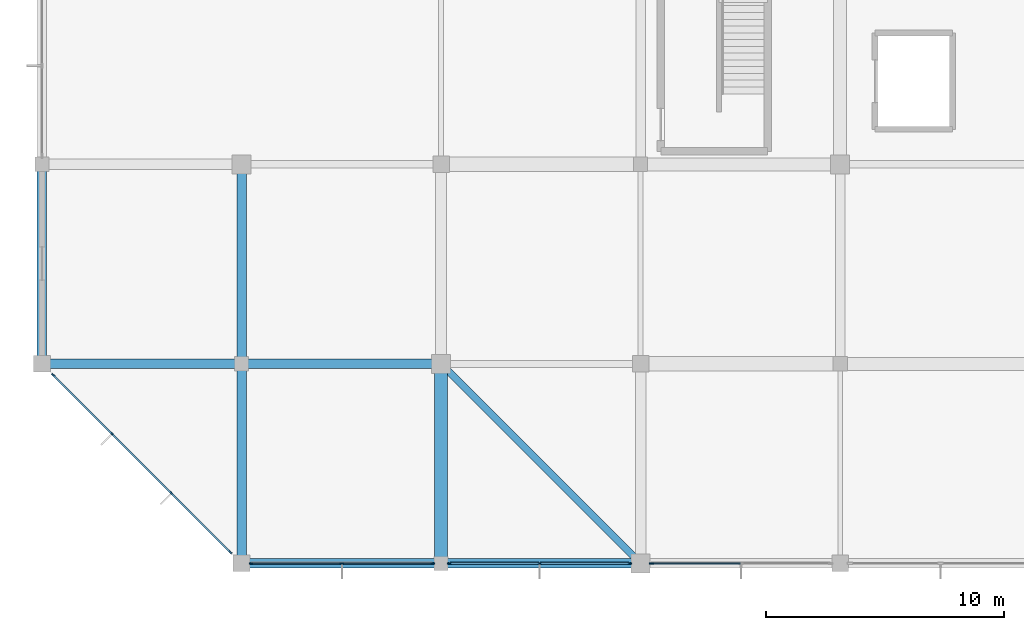
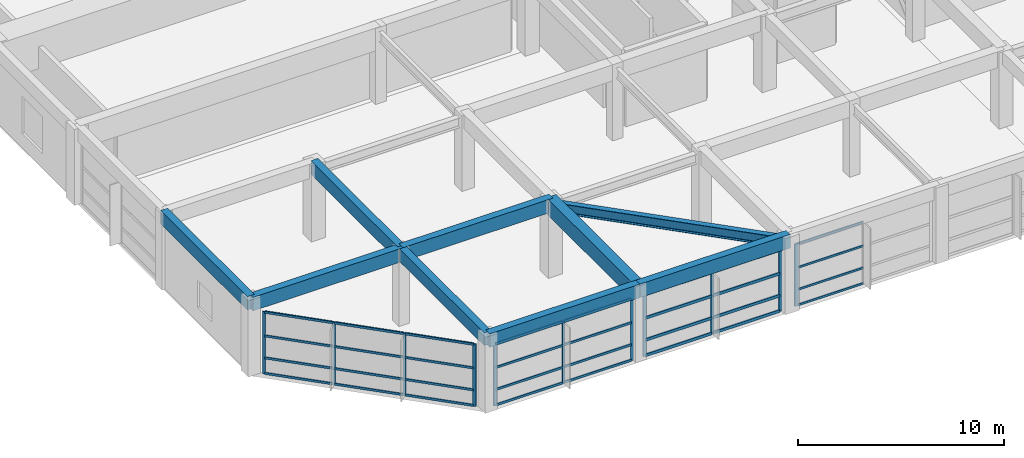
# One storey, part 10 of 62: 43 members, 9 beams, 4 elements without a shape of their own.
"""IFC4 building model written with IfcOpenShell, lengths in metres."""

from ifc_helpers import new_model, si_unit, direction, frame, origin, origin_2d, place, context, subcontext, project, spatial, rectangle, i_section, extrude, material, material_profile, profile_set, type_object, element, aggregate, save


model = new_model("IFC4")

# Units and contexts
model_context = context("Model", 3, precision=1e-05, world=origin(), true_north=direction((0.0, 1.0)))
body_context = subcontext(model_context, "Body", "Model", "MODEL_VIEW")
ifc_project = project(units=[si_unit("LENGTHUNIT", "METRE"), si_unit("AREAUNIT", "SQUARE_METRE"), si_unit("VOLUMEUNIT", "CUBIC_METRE"), si_unit("PLANEANGLEUNIT", "RADIAN"), si_unit("MASSUNIT", "GRAM", prefix="KILO")], contexts=[model_context])

# Site, building, storey
site_placement = place(None, origin())
site = spatial("IfcSite", under=ifc_project, at=site_placement, CompositionType="ELEMENT")
building_placement = place(site_placement, origin())
building = spatial("IfcBuilding", under=site, at=building_placement, Name="Xuanlan Plaza Opera House", CompositionType="ELEMENT")
storey_placement = place(building_placement, frame((0.0, 0.0, 14.39990234375)))
storey = spatial("IfcBuildingStorey", under=building, at=storey_placement, Name="L03", CompositionType="ELEMENT", Elevation=14.39990234375)

# Curtain wall, members
ifc_material_1 = material(Name="Anodised Aluminium 6063-T6 and Low-E Glass", Category="aluminium")
curtain_wall_type_1 = type_object("IfcCurtainWallType", Name="ENV-CW-CW-02", PredefinedType="USERDEFINED", material=ifc_material_1)
curtain_wall_1_placement = place(storey_placement, origin())
curtain_wall_1 = element("IfcCurtainWall", 1, at=curtain_wall_1_placement, inside=storey, type_object=curtain_wall_type_1, Name="Unitised Curtain Wall L03-001", ObjectType="UNITISED CURTAIN WALL", PredefinedType="USERDEFINED")
ifc_material_2 = material(Name="Anodised Aluminium 6063-T6", Category="aluminium")
ifc_material_profile_1 = material_profile(ifc_material_2, rectangle(XDim=0.06494140625, YDim=0.159912109375, at=origin_2d()), Name="ALU-M 65x160")
ifc_profile_set_1 = profile_set([ifc_material_profile_1], Name="Anodised Aluminium 6063-T6")
member_type_1 = type_object("IfcMemberType", Name="ENV-CWM-01", PredefinedType="MULLION", material=ifc_profile_set_1)
member_1_placement = place(storey_placement, frame((8.802490234375, 16.800048828125, 0.0), z_axis=(0.0, 0.0, 1.0), x_axis=(0.0, 1.0, 0.0)))
member_1 = element("IfcMember", 2, at=member_1_placement, type_object=member_type_1, Name="CW-02 mullion 1", PredefinedType="MULLION", context=body_context, shape_type="SweptSolid", body=[
    extrude(rectangle(XDim=0.06494140625, YDim=0.159912109375, at=origin_2d()), origin(), (0.0, 0.0, 1.0), 3.68017578125),
])
member_2_placement = place(storey_placement, frame((12.625, 16.800048828125, 0.0), z_axis=(0.0, 0.0, 1.0), x_axis=(0.0, 1.0, 0.0)))
member_2 = element("IfcMember", 3, at=member_2_placement, type_object=member_type_1, Name="CW-02 mullion 2", PredefinedType="MULLION", context=body_context, shape_type="SweptSolid", body=[
    extrude(rectangle(XDim=0.06494140625, YDim=0.159912109375, at=origin_2d()), origin(), (0.0, 0.0, 1.0), 3.68017578125),
])
member_3_placement = place(storey_placement, frame((16.447509765625, 16.800048828125, 0.0), z_axis=(0.0, 0.0, 1.0), x_axis=(0.0, 1.0, 0.0)))
member_3 = element("IfcMember", 4, at=member_3_placement, type_object=member_type_1, Name="CW-02 mullion 3", PredefinedType="MULLION", context=body_context, shape_type="SweptSolid", body=[
    extrude(rectangle(XDim=0.06494140625, YDim=0.159912109375, at=origin_2d()), origin(), (0.0, 0.0, 1.0), 3.68017578125),
])

curtain_wall_type_2 = type_object("IfcCurtainWallType", Name="ENV-CW-CW-01", PredefinedType="USERDEFINED", material=ifc_material_1)
curtain_wall_2_placement = place(storey_placement, origin())
curtain_wall_2 = element("IfcCurtainWall", 5, at=curtain_wall_2_placement, inside=storey, type_object=curtain_wall_type_2, Name="Unitised Curtain Wall L03-056", ObjectType="UNITISED CURTAIN WALL", PredefinedType="USERDEFINED")
member_4_placement = place(storey_placement, frame((0.471923828125, 24.72802734375, 0.0), z_axis=(0.0, 0.0, 1.0), x_axis=(0.707106781187, 0.707106781187, 0.0)))
member_4 = element("IfcMember", 6, at=member_4_placement, type_object=member_type_1, Name="CW-01 mullion 1", PredefinedType="MULLION", context=body_context, shape_type="SweptSolid", body=[
    extrude(rectangle(XDim=0.06494140625, YDim=0.159912109375, at=origin_2d()), origin(), (0.0, 0.0, 1.0), 3.68017578125),
])
member_5_placement = place(storey_placement, frame((2.94970703125, 22.250244140625, 0.0), z_axis=(0.0, 0.0, 1.0), x_axis=(0.707106781187, 0.707106781187, 0.0)))
member_5 = element("IfcMember", 7, at=member_5_placement, type_object=member_type_1, Name="CW-01 mullion 2", PredefinedType="MULLION", context=body_context, shape_type="SweptSolid", body=[
    extrude(rectangle(XDim=0.06494140625, YDim=0.159912109375, at=origin_2d()), origin(), (0.0, 0.0, 1.0), 3.68017578125),
])
member_6_placement = place(storey_placement, frame((5.450439453125, 19.749755859375, 0.0), z_axis=(0.0, 0.0, 1.0), x_axis=(0.707106781187, 0.707106781187, 0.0)))
member_6 = element("IfcMember", 8, at=member_6_placement, type_object=member_type_1, Name="CW-01 mullion 3", PredefinedType="MULLION", context=body_context, shape_type="SweptSolid", body=[
    extrude(rectangle(XDim=0.06494140625, YDim=0.159912109375, at=origin_2d()), origin(), (0.0, 0.0, 1.0), 3.68017578125),
])
member_7_placement = place(storey_placement, frame((7.927978515625, 17.27197265625, 0.0), z_axis=(0.0, 0.0, 1.0), x_axis=(0.707106781187, 0.707106781187, 0.0)))
member_7 = element("IfcMember", 9, at=member_7_placement, type_object=member_type_1, Name="CW-01 mullion 4", PredefinedType="MULLION", context=body_context, shape_type="SweptSolid", body=[
    extrude(rectangle(XDim=0.06494140625, YDim=0.159912109375, at=origin_2d()), origin(), (0.0, 0.0, 1.0), 3.68017578125),
])

curtain_wall_type_3 = type_object("IfcCurtainWallType", Name="ENV-CW-CW-03", PredefinedType="USERDEFINED", material=ifc_material_1)
curtain_wall_3_placement = place(storey_placement, origin())
curtain_wall_3 = element("IfcCurtainWall", 10, at=curtain_wall_3_placement, inside=storey, type_object=curtain_wall_type_3, Name="Unitised Curtain Wall L03-002", ObjectType="UNITISED CURTAIN WALL", PredefinedType="USERDEFINED")
ifc_material_profile_2 = material_profile(ifc_material_2, rectangle(XDim=0.070068359375, YDim=0.179931640625, at=origin_2d()), Name="ALU-M 70x180")
ifc_profile_set_2 = profile_set([ifc_material_profile_2], Name="Anodised Aluminium 6063-T6")
member_type_2 = type_object("IfcMemberType", Name="ENV-CWM-02", PredefinedType="MULLION", material=ifc_profile_set_2)
member_8_placement = place(storey_placement, frame((17.155029296875, 16.800048828125, 0.0), z_axis=(0.0, 0.0, 1.0), x_axis=(0.0, 1.0, 0.0)))
member_8 = element("IfcMember", 11, at=member_8_placement, type_object=member_type_2, Name="CW-03 mullion 1", PredefinedType="MULLION", context=body_context, shape_type="SweptSolid", body=[
    extrude(rectangle(XDim=0.070068359375, YDim=0.179931640625, at=origin_2d()), origin(), (0.0, 0.0, 1.0), 3.68017578125),
])
member_9_placement = place(storey_placement, frame((20.949951171875, 16.800048828125, 0.0), z_axis=(0.0, 0.0, 1.0), x_axis=(0.0, 1.0, 0.0)))
member_9 = element("IfcMember", 12, at=member_9_placement, type_object=member_type_2, Name="CW-03 mullion 2", PredefinedType="MULLION", context=body_context, shape_type="SweptSolid", body=[
    extrude(rectangle(XDim=0.070068359375, YDim=0.179931640625, at=origin_2d()), origin(), (0.0, 0.0, 1.0), 3.68017578125),
])
member_10_placement = place(storey_placement, frame((24.7451171875, 16.800048828125, 0.0), z_axis=(0.0, 0.0, 1.0), x_axis=(0.0, 1.0, 0.0)))
member_10 = element("IfcMember", 13, at=member_10_placement, type_object=member_type_2, Name="CW-03 mullion 3", PredefinedType="MULLION", context=body_context, shape_type="SweptSolid", body=[
    extrude(rectangle(XDim=0.070068359375, YDim=0.179931640625, at=origin_2d()), origin(), (0.0, 0.0, 1.0), 3.68017578125),
])

curtain_wall_type_4 = type_object("IfcCurtainWallType", Name="ENV-CW-CW-04", PredefinedType="USERDEFINED", material=ifc_material_1)
curtain_wall_4_placement = place(storey_placement, origin())
curtain_wall_4 = element("IfcCurtainWall", 14, at=curtain_wall_4_placement, inside=storey, type_object=curtain_wall_type_4, Name="Unitised Curtain Wall L03-003", ObjectType="UNITISED CURTAIN WALL", PredefinedType="USERDEFINED")
ifc_material_profile_3 = material_profile(ifc_material_2, rectangle(XDim=0.074951171875, YDim=0.199951171875, at=origin_2d()), Name="ALU-M 75x200")
ifc_profile_set_3 = profile_set([ifc_material_profile_3], Name="Anodised Aluminium 6063-T6")
member_type_3 = type_object("IfcMemberType", Name="ENV-CWM-03", PredefinedType="MULLION", material=ifc_profile_set_3)
member_11_placement = place(storey_placement, frame((25.657470703125, 16.800048828125, 0.0), z_axis=(0.0, 0.0, 1.0), x_axis=(0.0, 1.0, 0.0)))
member_11 = element("IfcMember", 15, at=member_11_placement, type_object=member_type_3, Name="CW-04 mullion 1", PredefinedType="MULLION", context=body_context, shape_type="SweptSolid", body=[
    extrude(rectangle(XDim=0.074951171875, YDim=0.199951171875, at=origin_2d()), origin(), (0.0, 0.0, 1.0), 3.68017578125),
])
ifc_material_profile_4 = material_profile(ifc_material_2, rectangle(XDim=0.06494140625, YDim=0.1201171875, at=origin_2d()), Name="ALU-T 65x120")
ifc_profile_set_4 = profile_set([ifc_material_profile_4], Name="Anodised Aluminium 6063-T6")
member_type_4 = type_object("IfcMemberType", Name="ENV-CWT-01", PredefinedType="USERDEFINED", material=ifc_profile_set_4)
member_12_placement = place(storey_placement, frame((25.695068359375, 16.800048828125, 0.03271484375), z_axis=(1.0, 0.0, 0.0), x_axis=(0.0, 1.0, 0.0)))
member_12 = element("IfcMember", 16, at=member_12_placement, type_object=member_type_4, Name="CW-04 transom 1.1", ObjectType="TRANSOM", PredefinedType="USERDEFINED", context=body_context, shape_type="SweptSolid", body=[
    extrude(rectangle(XDim=0.06494140625, YDim=0.1201171875, at=origin_2d()), origin(), (0.0, 0.0, 1.0), 3.6923828125),
])
member_13_placement = place(storey_placement, frame((25.695068359375, 16.800048828125, 0.9501953125), z_axis=(1.0, 0.0, 0.0), x_axis=(0.0, 1.0, 0.0)))
member_13 = element("IfcMember", 17, at=member_13_placement, type_object=member_type_4, Name="CW-04 transom 1.2", ObjectType="TRANSOM", PredefinedType="USERDEFINED", context=body_context, shape_type="SweptSolid", body=[
    extrude(rectangle(XDim=0.06494140625, YDim=0.1201171875, at=origin_2d()), origin(), (0.0, 0.0, 1.0), 3.6923828125),
])
member_14_placement = place(storey_placement, frame((25.695068359375, 16.800048828125, 2.25), z_axis=(1.0, 0.0, 0.0), x_axis=(0.0, 1.0, 0.0)))
member_14 = element("IfcMember", 18, at=member_14_placement, type_object=member_type_4, Name="CW-04 transom 1.3", ObjectType="TRANSOM", PredefinedType="USERDEFINED", context=body_context, shape_type="SweptSolid", body=[
    extrude(rectangle(XDim=0.06494140625, YDim=0.1201171875, at=origin_2d()), origin(), (0.0, 0.0, 1.0), 3.6923828125),
])
member_15_placement = place(storey_placement, frame((25.695068359375, 16.800048828125, 3.647705078125), z_axis=(1.0, 0.0, 0.0), x_axis=(0.0, 1.0, 0.0)))
member_15 = element("IfcMember", 19, at=member_15_placement, type_object=member_type_4, Name="CW-04 transom 1.4", ObjectType="TRANSOM", PredefinedType="USERDEFINED", context=body_context, shape_type="SweptSolid", body=[
    extrude(rectangle(XDim=0.06494140625, YDim=0.1201171875, at=origin_2d()), origin(), (0.0, 0.0, 1.0), 3.6923828125),
])
aggregate(curtain_wall_4, [member_11, member_12, member_13, member_14, member_15])

# Member
ifc_material_profile_5 = material_profile(ifc_material_2, rectangle(XDim=0.070068359375, YDim=0.135009765625, at=origin_2d()), Name="ALU-T 70x135")
ifc_profile_set_5 = profile_set([ifc_material_profile_5], Name="Anodised Aluminium 6063-T6")
member_type_5 = type_object("IfcMemberType", Name="ENV-CWT-02", PredefinedType="USERDEFINED", material=ifc_profile_set_5)
member_16_placement = place(storey_placement, frame((8.8349609375, 16.800048828125, 0.03515625), z_axis=(1.0, 0.0, 0.0), x_axis=(0.0, 1.0, 0.0)))
member_16 = element("IfcMember", 20, at=member_16_placement, type_object=member_type_5, Name="CW-02 transom 1.1", ObjectType="TRANSOM", PredefinedType="USERDEFINED", context=body_context, shape_type="SweptSolid", body=[
    extrude(rectangle(XDim=0.070068359375, YDim=0.135009765625, at=origin_2d()), origin(), (0.0, 0.0, 1.0), 3.757568359375),
])

member_17_placement = place(storey_placement, frame((8.8349609375, 16.800048828125, 0.9501953125), z_axis=(1.0, 0.0, 0.0), x_axis=(0.0, 1.0, 0.0)))
member_17 = element("IfcMember", 21, at=member_17_placement, type_object=member_type_5, Name="CW-02 transom 1.2", ObjectType="TRANSOM", PredefinedType="USERDEFINED", context=body_context, shape_type="SweptSolid", body=[
    extrude(rectangle(XDim=0.070068359375, YDim=0.135009765625, at=origin_2d()), origin(), (0.0, 0.0, 1.0), 3.757568359375),
])

member_18_placement = place(storey_placement, frame((8.8349609375, 16.800048828125, 2.25), z_axis=(1.0, 0.0, 0.0), x_axis=(0.0, 1.0, 0.0)))
member_18 = element("IfcMember", 22, at=member_18_placement, type_object=member_type_5, Name="CW-02 transom 1.3", ObjectType="TRANSOM", PredefinedType="USERDEFINED", context=body_context, shape_type="SweptSolid", body=[
    extrude(rectangle(XDim=0.070068359375, YDim=0.135009765625, at=origin_2d()), origin(), (0.0, 0.0, 1.0), 3.757568359375),
])

member_19_placement = place(storey_placement, frame((8.8349609375, 16.800048828125, 3.64501953125), z_axis=(1.0, 0.0, 0.0), x_axis=(0.0, 1.0, 0.0)))
member_19 = element("IfcMember", 23, at=member_19_placement, type_object=member_type_5, Name="CW-02 transom 1.4", ObjectType="TRANSOM", PredefinedType="USERDEFINED", context=body_context, shape_type="SweptSolid", body=[
    extrude(rectangle(XDim=0.070068359375, YDim=0.135009765625, at=origin_2d()), origin(), (0.0, 0.0, 1.0), 3.757568359375),
])

member_20_placement = place(storey_placement, frame((12.657470703125, 16.800048828125, 0.03515625), z_axis=(1.0, 0.0, 0.0), x_axis=(0.0, 1.0, 0.0)))
member_20 = element("IfcMember", 24, at=member_20_placement, type_object=member_type_5, Name="CW-02 transom 2.1", ObjectType="TRANSOM", PredefinedType="USERDEFINED", context=body_context, shape_type="SweptSolid", body=[
    extrude(rectangle(XDim=0.070068359375, YDim=0.135009765625, at=origin_2d()), origin(), (0.0, 0.0, 1.0), 3.757568359375),
])

member_21_placement = place(storey_placement, frame((12.657470703125, 16.800048828125, 0.9501953125), z_axis=(1.0, 0.0, 0.0), x_axis=(0.0, 1.0, 0.0)))
member_21 = element("IfcMember", 25, at=member_21_placement, type_object=member_type_5, Name="CW-02 transom 2.2", ObjectType="TRANSOM", PredefinedType="USERDEFINED", context=body_context, shape_type="SweptSolid", body=[
    extrude(rectangle(XDim=0.070068359375, YDim=0.135009765625, at=origin_2d()), origin(), (0.0, 0.0, 1.0), 3.757568359375),
])

member_22_placement = place(storey_placement, frame((12.657470703125, 16.800048828125, 2.25), z_axis=(1.0, 0.0, 0.0), x_axis=(0.0, 1.0, 0.0)))
member_22 = element("IfcMember", 26, at=member_22_placement, type_object=member_type_5, Name="CW-02 transom 2.3", ObjectType="TRANSOM", PredefinedType="USERDEFINED", context=body_context, shape_type="SweptSolid", body=[
    extrude(rectangle(XDim=0.070068359375, YDim=0.135009765625, at=origin_2d()), origin(), (0.0, 0.0, 1.0), 3.757568359375),
])

member_23_placement = place(storey_placement, frame((12.657470703125, 16.800048828125, 3.64501953125), z_axis=(1.0, 0.0, 0.0), x_axis=(0.0, 1.0, 0.0)))
member_23 = element("IfcMember", 27, at=member_23_placement, type_object=member_type_5, Name="CW-02 transom 2.4", ObjectType="TRANSOM", PredefinedType="USERDEFINED", context=body_context, shape_type="SweptSolid", body=[
    extrude(rectangle(XDim=0.070068359375, YDim=0.135009765625, at=origin_2d()), origin(), (0.0, 0.0, 1.0), 3.757568359375),
])

aggregate(curtain_wall_1, [member_1, member_2, member_3, member_16, member_17, member_18, member_19, member_20, member_21, member_22, member_23])

member_24_placement = place(storey_placement, frame((0.494873046875, 24.705078125, 0.03515625), z_axis=(0.707106781187, -0.707106781187, 0.0), x_axis=(0.707106781187, 0.707106781187, 0.0)))
member_24 = element("IfcMember", 28, at=member_24_placement, type_object=member_type_5, Name="CW-01 transom 1.1", ObjectType="TRANSOM", PredefinedType="USERDEFINED", context=body_context, shape_type="SweptSolid", body=[
    extrude(rectangle(XDim=0.070068359375, YDim=0.135009765625, at=origin_2d()), origin(), (0.0, 0.0, 1.0), 3.439208984375),
])

member_25_placement = place(storey_placement, frame((0.494873046875, 24.705078125, 0.9501953125), z_axis=(0.707106781187, -0.707106781187, 0.0), x_axis=(0.707106781187, 0.707106781187, 0.0)))
member_25 = element("IfcMember", 29, at=member_25_placement, type_object=member_type_5, Name="CW-01 transom 1.2", ObjectType="TRANSOM", PredefinedType="USERDEFINED", context=body_context, shape_type="SweptSolid", body=[
    extrude(rectangle(XDim=0.070068359375, YDim=0.135009765625, at=origin_2d()), origin(), (0.0, 0.0, 1.0), 3.439208984375),
])

member_26_placement = place(storey_placement, frame((0.494873046875, 24.705078125, 2.25), z_axis=(0.707106781187, -0.707106781187, 0.0), x_axis=(0.707106781187, 0.707106781187, 0.0)))
member_26 = element("IfcMember", 30, at=member_26_placement, type_object=member_type_5, Name="CW-01 transom 1.3", ObjectType="TRANSOM", PredefinedType="USERDEFINED", context=body_context, shape_type="SweptSolid", body=[
    extrude(rectangle(XDim=0.070068359375, YDim=0.135009765625, at=origin_2d()), origin(), (0.0, 0.0, 1.0), 3.439208984375),
])

member_27_placement = place(storey_placement, frame((0.494873046875, 24.705078125, 3.64501953125), z_axis=(0.707106781187, -0.707106781187, 0.0), x_axis=(0.707106781187, 0.707106781187, 0.0)))
member_27 = element("IfcMember", 31, at=member_27_placement, type_object=member_type_5, Name="CW-01 transom 1.4", ObjectType="TRANSOM", PredefinedType="USERDEFINED", context=body_context, shape_type="SweptSolid", body=[
    extrude(rectangle(XDim=0.070068359375, YDim=0.135009765625, at=origin_2d()), origin(), (0.0, 0.0, 1.0), 3.439208984375),
])

member_28_placement = place(storey_placement, frame((2.97265625, 22.227294921875, 0.03515625), z_axis=(0.707106781187, -0.707106781187, 0.0), x_axis=(0.707106781187, 0.707106781187, 0.0)))
member_28 = element("IfcMember", 32, at=member_28_placement, type_object=member_type_5, Name="CW-01 transom 2.1", ObjectType="TRANSOM", PredefinedType="USERDEFINED", context=body_context, shape_type="SweptSolid", body=[
    extrude(rectangle(XDim=0.070068359375, YDim=0.135009765625, at=origin_2d()), origin(), (0.0, 0.0, 1.0), 3.471435546875),
])

member_29_placement = place(storey_placement, frame((2.97265625, 22.227294921875, 0.9501953125), z_axis=(0.707106781187, -0.707106781187, 0.0), x_axis=(0.707106781187, 0.707106781187, 0.0)))
member_29 = element("IfcMember", 33, at=member_29_placement, type_object=member_type_5, Name="CW-01 transom 2.2", ObjectType="TRANSOM", PredefinedType="USERDEFINED", context=body_context, shape_type="SweptSolid", body=[
    extrude(rectangle(XDim=0.070068359375, YDim=0.135009765625, at=origin_2d()), origin(), (0.0, 0.0, 1.0), 3.471435546875),
])

member_30_placement = place(storey_placement, frame((2.97265625, 22.227294921875, 2.25), z_axis=(0.707106781187, -0.707106781187, 0.0), x_axis=(0.707106781187, 0.707106781187, 0.0)))
member_30 = element("IfcMember", 34, at=member_30_placement, type_object=member_type_5, Name="CW-01 transom 2.3", ObjectType="TRANSOM", PredefinedType="USERDEFINED", context=body_context, shape_type="SweptSolid", body=[
    extrude(rectangle(XDim=0.070068359375, YDim=0.135009765625, at=origin_2d()), origin(), (0.0, 0.0, 1.0), 3.471435546875),
])

member_31_placement = place(storey_placement, frame((2.97265625, 22.227294921875, 3.64501953125), z_axis=(0.707106781187, -0.707106781187, 0.0), x_axis=(0.707106781187, 0.707106781187, 0.0)))
member_31 = element("IfcMember", 35, at=member_31_placement, type_object=member_type_5, Name="CW-01 transom 2.4", ObjectType="TRANSOM", PredefinedType="USERDEFINED", context=body_context, shape_type="SweptSolid", body=[
    extrude(rectangle(XDim=0.070068359375, YDim=0.135009765625, at=origin_2d()), origin(), (0.0, 0.0, 1.0), 3.471435546875),
])

member_32_placement = place(storey_placement, frame((5.473388671875, 19.726806640625, 0.03515625), z_axis=(0.707071284749, -0.707142275842, 0.0), x_axis=(0.707142275842, 0.707071284749, 0.0)))
member_32 = element("IfcMember", 36, at=member_32_placement, type_object=member_type_5, Name="CW-01 transom 3.1", ObjectType="TRANSOM", PredefinedType="USERDEFINED", context=body_context, shape_type="SweptSolid", body=[
    extrude(rectangle(XDim=0.070068359375, YDim=0.135009765625, at=origin_2d()), origin(), (0.0, 0.0, 1.0), 3.43896484375),
])

member_33_placement = place(storey_placement, frame((5.473388671875, 19.726806640625, 0.9501953125), z_axis=(0.707071284749, -0.707142275842, 0.0), x_axis=(0.707142275842, 0.707071284749, 0.0)))
member_33 = element("IfcMember", 37, at=member_33_placement, type_object=member_type_5, Name="CW-01 transom 3.2", ObjectType="TRANSOM", PredefinedType="USERDEFINED", context=body_context, shape_type="SweptSolid", body=[
    extrude(rectangle(XDim=0.070068359375, YDim=0.135009765625, at=origin_2d()), origin(), (0.0, 0.0, 1.0), 3.43896484375),
])

member_34_placement = place(storey_placement, frame((5.473388671875, 19.726806640625, 2.25), z_axis=(0.707071284749, -0.707142275842, 0.0), x_axis=(0.707142275842, 0.707071284749, 0.0)))
member_34 = element("IfcMember", 38, at=member_34_placement, type_object=member_type_5, Name="CW-01 transom 3.3", ObjectType="TRANSOM", PredefinedType="USERDEFINED", context=body_context, shape_type="SweptSolid", body=[
    extrude(rectangle(XDim=0.070068359375, YDim=0.135009765625, at=origin_2d()), origin(), (0.0, 0.0, 1.0), 3.43896484375),
])

member_35_placement = place(storey_placement, frame((5.473388671875, 19.726806640625, 3.64501953125), z_axis=(0.707071284749, -0.707142275842, 0.0), x_axis=(0.707142275842, 0.707071284749, 0.0)))
member_35 = element("IfcMember", 39, at=member_35_placement, type_object=member_type_5, Name="CW-01 transom 3.4", ObjectType="TRANSOM", PredefinedType="USERDEFINED", context=body_context, shape_type="SweptSolid", body=[
    extrude(rectangle(XDim=0.070068359375, YDim=0.135009765625, at=origin_2d()), origin(), (0.0, 0.0, 1.0), 3.43896484375),
])

aggregate(curtain_wall_2, [member_4, member_5, member_6, member_7, member_24, member_25, member_26, member_27, member_28, member_29, member_30, member_31, member_32, member_33, member_34, member_35])

ifc_material_profile_6 = material_profile(ifc_material_2, rectangle(XDim=0.080078125, YDim=0.1650390625, at=origin_2d()), Name="ALU-T 80x165")
ifc_profile_set_6 = profile_set([ifc_material_profile_6], Name="Anodised Aluminium 6063-T6")
member_type_6 = type_object("IfcMemberType", Name="ENV-CWT-04", PredefinedType="USERDEFINED", material=ifc_profile_set_6)
member_36_placement = place(storey_placement, frame((17.18994140625, 16.800048828125, 0.0400390625), z_axis=(1.0, 0.0, 0.0), x_axis=(0.0, 1.0, 0.0)))
member_36 = element("IfcMember", 40, at=member_36_placement, type_object=member_type_6, Name="CW-03 transom 1.1", ObjectType="TRANSOM", PredefinedType="USERDEFINED", context=body_context, shape_type="SweptSolid", body=[
    extrude(rectangle(XDim=0.080078125, YDim=0.1650390625, at=origin_2d()), origin(), (0.0, 0.0, 1.0), 3.72509765625),
])

member_37_placement = place(storey_placement, frame((17.18994140625, 16.800048828125, 0.9501953125), z_axis=(1.0, 0.0, 0.0), x_axis=(0.0, 1.0, 0.0)))
member_37 = element("IfcMember", 41, at=member_37_placement, type_object=member_type_6, Name="CW-03 transom 1.2", ObjectType="TRANSOM", PredefinedType="USERDEFINED", context=body_context, shape_type="SweptSolid", body=[
    extrude(rectangle(XDim=0.080078125, YDim=0.1650390625, at=origin_2d()), origin(), (0.0, 0.0, 1.0), 3.72509765625),
])

member_38_placement = place(storey_placement, frame((17.18994140625, 16.800048828125, 2.25), z_axis=(1.0, 0.0, 0.0), x_axis=(0.0, 1.0, 0.0)))
member_38 = element("IfcMember", 42, at=member_38_placement, type_object=member_type_6, Name="CW-03 transom 1.3", ObjectType="TRANSOM", PredefinedType="USERDEFINED", context=body_context, shape_type="SweptSolid", body=[
    extrude(rectangle(XDim=0.080078125, YDim=0.1650390625, at=origin_2d()), origin(), (0.0, 0.0, 1.0), 3.72509765625),
])

member_39_placement = place(storey_placement, frame((17.18994140625, 16.800048828125, 3.64013671875), z_axis=(1.0, 0.0, 0.0), x_axis=(0.0, 1.0, 0.0)))
member_39 = element("IfcMember", 43, at=member_39_placement, type_object=member_type_6, Name="CW-03 transom 1.4", ObjectType="TRANSOM", PredefinedType="USERDEFINED", context=body_context, shape_type="SweptSolid", body=[
    extrude(rectangle(XDim=0.080078125, YDim=0.1650390625, at=origin_2d()), origin(), (0.0, 0.0, 1.0), 3.72509765625),
])

member_40_placement = place(storey_placement, frame((20.985107421875, 16.800048828125, 0.0400390625), z_axis=(1.0, 0.0, 0.0), x_axis=(0.0, 1.0, 0.0)))
member_40 = element("IfcMember", 44, at=member_40_placement, type_object=member_type_6, Name="CW-03 transom 2.1", ObjectType="TRANSOM", PredefinedType="USERDEFINED", context=body_context, shape_type="SweptSolid", body=[
    extrude(rectangle(XDim=0.080078125, YDim=0.1650390625, at=origin_2d()), origin(), (0.0, 0.0, 1.0), 3.724853515625),
])

member_41_placement = place(storey_placement, frame((20.985107421875, 16.800048828125, 0.9501953125), z_axis=(1.0, 0.0, 0.0), x_axis=(0.0, 1.0, 0.0)))
member_41 = element("IfcMember", 45, at=member_41_placement, type_object=member_type_6, Name="CW-03 transom 2.2", ObjectType="TRANSOM", PredefinedType="USERDEFINED", context=body_context, shape_type="SweptSolid", body=[
    extrude(rectangle(XDim=0.080078125, YDim=0.1650390625, at=origin_2d()), origin(), (0.0, 0.0, 1.0), 3.724853515625),
])

member_42_placement = place(storey_placement, frame((20.985107421875, 16.800048828125, 2.25), z_axis=(1.0, 0.0, 0.0), x_axis=(0.0, 1.0, 0.0)))
member_42 = element("IfcMember", 46, at=member_42_placement, type_object=member_type_6, Name="CW-03 transom 2.3", ObjectType="TRANSOM", PredefinedType="USERDEFINED", context=body_context, shape_type="SweptSolid", body=[
    extrude(rectangle(XDim=0.080078125, YDim=0.1650390625, at=origin_2d()), origin(), (0.0, 0.0, 1.0), 3.724853515625),
])

member_43_placement = place(storey_placement, frame((20.985107421875, 16.800048828125, 3.64013671875), z_axis=(1.0, 0.0, 0.0), x_axis=(0.0, 1.0, 0.0)))
member_43 = element("IfcMember", 47, at=member_43_placement, type_object=member_type_6, Name="CW-03 transom 2.4", ObjectType="TRANSOM", PredefinedType="USERDEFINED", context=body_context, shape_type="SweptSolid", body=[
    extrude(rectangle(XDim=0.080078125, YDim=0.1650390625, at=origin_2d()), origin(), (0.0, 0.0, 1.0), 3.724853515625),
])

aggregate(curtain_wall_3, [member_8, member_9, member_10, member_36, member_37, member_38, member_39, member_40, member_41, member_42, member_43])

# Beams
ifc_material_3 = material(Name="Concrete C50", Category="concrete")
ifc_material_profile_7 = material_profile(ifc_material_3, rectangle(XDim=0.550048828125, YDim=0.949951171875, at=origin_2d()), Name="RC-BM 550x950")
ifc_profile_set_7 = profile_set([ifc_material_profile_7], Name="Concrete C50")
beam_type_1 = type_object("IfcBeamType", Name="STR-BM-B-02", PredefinedType="BEAM", material=ifc_profile_set_7)
beam_1_placement = place(storey_placement, frame((16.800048828125, 16.800048828125, 4.025146484375), z_axis=(0.0, 1.0, 0.0), x_axis=(-1.0, 0.0, 0.0)))
element("IfcBeam", 48, at=beam_1_placement, inside=storey, type_object=beam_type_1, Name="Grid Beam Y L03 3/C-D", PredefinedType="BEAM", context=body_context, shape_type="SweptSolid", body=[
    extrude(rectangle(XDim=0.550048828125, YDim=0.949951171875, at=origin_2d()), origin(), (0.0, 0.0, 1.0), 8.39990234375),
])
ifc_material_4 = material(Name="Concrete C40", Category="concrete")
ifc_material_profile_8 = material_profile(ifc_material_4, rectangle(XDim=0.39990234375, YDim=0.75, at=origin_2d()), Name="RC-BM 400x750")
ifc_profile_set_8 = profile_set([ifc_material_profile_8], Name="Concrete C40")
beam_type_2 = type_object("IfcBeamType", Name="STR-BM-B-06", PredefinedType="BEAM", material=ifc_profile_set_8)
beam_2_placement = place(storey_placement, frame((8.39990234375, 16.800048828125, 4.125), z_axis=(0.0, 1.0, 0.0), x_axis=(-1.0, 0.0, 0.0)))
element("IfcBeam", 49, at=beam_2_placement, inside=storey, type_object=beam_type_2, Name="Grid Beam Y L03 2/C-D", PredefinedType="BEAM", context=body_context, shape_type="SweptSolid", body=[
    extrude(rectangle(XDim=0.39990234375, YDim=0.75, at=origin_2d()), origin(), (0.0, 0.0, 1.0), 8.39990234375),
])
ifc_material_profile_9 = material_profile(ifc_material_4, rectangle(XDim=0.39990234375, YDim=0.800048828125, at=origin_2d()), Name="RC-SPD 400x800")
ifc_profile_set_9 = profile_set([ifc_material_profile_9], Name="Concrete C40")
beam_type_3 = type_object("IfcBeamType", Name="STR-BM-SP-01", PredefinedType="SPANDREL", material=ifc_profile_set_9)
beam_3_placement = place(storey_placement, frame((8.39990234375, 16.800048828125, 4.10009765625), z_axis=(1.0, 0.0, 0.0), x_axis=(0.0, 1.0, 0.0)))
element("IfcBeam", 50, at=beam_3_placement, inside=storey, type_object=beam_type_3, Name="Grid Beam X L03 2-3/C", PredefinedType="SPANDREL", context=body_context, shape_type="SweptSolid", body=[
    extrude(rectangle(XDim=0.39990234375, YDim=0.800048828125, at=origin_2d()), origin(), (0.0, 0.0, 1.0), 8.400146484375),
])
for number, where, z_axis, x_axis, name in (
    (51, (16.800048828125, 16.800048828125, 4.10009765625), (1.0, 0.0, 0.0), (0.0, 1.0, 0.0), "Grid Beam X L03 3-4/C"),
    (52, (0.0, 25.199951171875, 4.10009765625), (1.0, 0.0, 0.0), (0.0, 1.0, 0.0), "Grid Beam X L03 1-2/D"),
):
    element("IfcBeam", number, at=place(storey_placement, frame(where, z_axis=z_axis, x_axis=x_axis)), inside=storey, type_object=beam_type_3, Name=name, PredefinedType="SPANDREL", context=body_context, shape_type="SweptSolid", body=[
        extrude(rectangle(XDim=0.39990234375, YDim=0.800048828125, at=origin_2d()), origin(), (0.0, 0.0, 1.0), 8.39990234375),
    ])
for number, where, z_axis, x_axis, name in (
    (53, (8.39990234375, 25.199951171875, 4.10009765625), (1.0, 0.0, 0.0), (0.0, 1.0, 0.0), "Grid Beam X L03 2-3/D"),
    (54, (0.0, 25.199951171875, 4.10009765625), (0.0, 1.0, 0.0), (-1.0, 0.0, 0.0), "Grid Beam Y L03 1/D-E"),
    (55, (8.39990234375, 25.199951171875, 4.10009765625), (0.0, 1.0, 0.0), (-1.0, 0.0, 0.0), "Grid Beam Y L03 2/D-E"),
):
    element("IfcBeam", number, at=place(storey_placement, frame(where, z_axis=z_axis, x_axis=x_axis)), inside=storey, type_object=beam_type_3, Name=name, PredefinedType="SPANDREL", context=body_context, shape_type="SweptSolid", body=[
        extrude(rectangle(XDim=0.39990234375, YDim=0.800048828125, at=origin_2d()), origin(), (0.0, 0.0, 1.0), 8.400146484375),
    ])
ifc_material_5 = material(Name="Steel Q355B", Category="steel")
ifc_material_profile_10 = material_profile(ifc_material_5, i_section(OverallWidth=0.300048828125, OverallDepth=0.587890625, WebThickness=0.011962890625, FlangeThickness=0.02001953125, FilletRadius=0.02392578125, at=origin_2d()), Name="HM 588x300x12x20")
ifc_profile_set_10 = profile_set([ifc_material_profile_10], Name="Steel Q355B")
beam_type_4 = type_object("IfcBeamType", Name="STR-BM-SP-03", PredefinedType="SPANDREL", material=ifc_profile_set_10)
beam_4_placement = place(storey_placement, frame((25.199951171875, 16.800048828125, 3.941162109375), z_axis=(-0.707106781187, 0.707106781187, 0.0), x_axis=(-0.707106781187, -0.707106781187, 0.0)))
element("IfcBeam", 56, at=beam_4_placement, inside=storey, type_object=beam_type_4, Name="Faceted Edge Spandrel L03 CH17", PredefinedType="SPANDREL", context=body_context, shape_type="SweptSolid", body=[
    extrude(i_section(OverallWidth=0.300048828125, OverallDepth=0.587890625, WebThickness=0.011962890625, FlangeThickness=0.02001953125, FilletRadius=0.02392578125, at=origin_2d()), origin(), (0.0, 0.0, 1.0), 11.879150390625),
])

save(model, "model.ifc")
